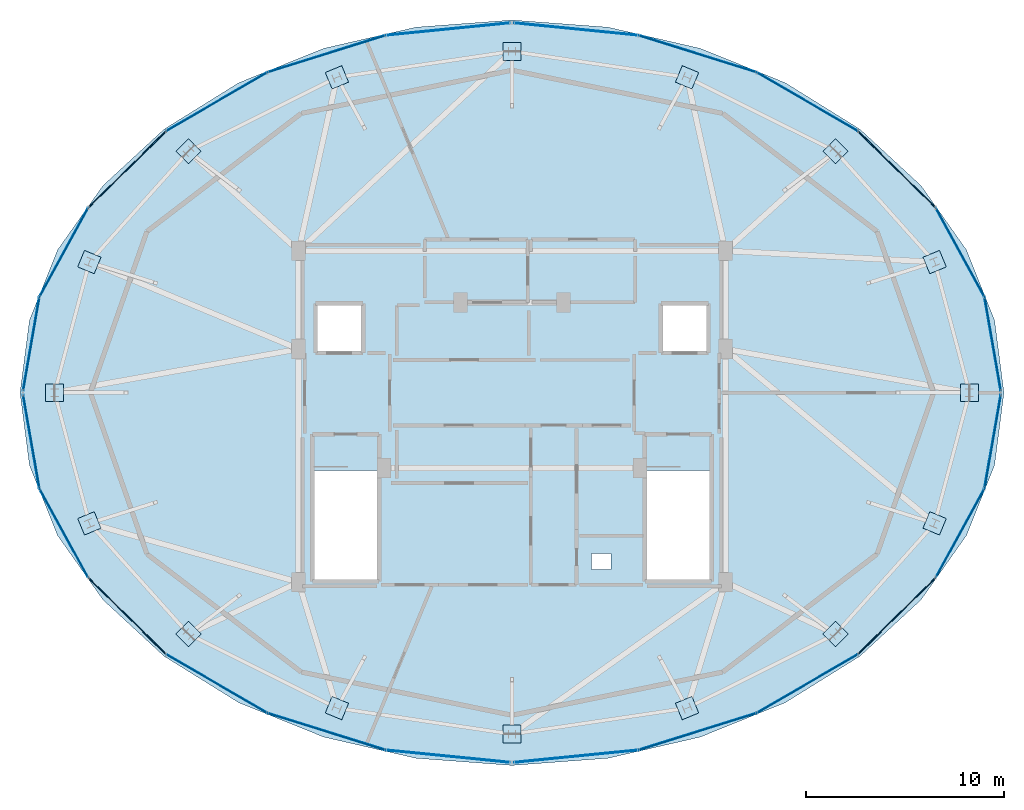
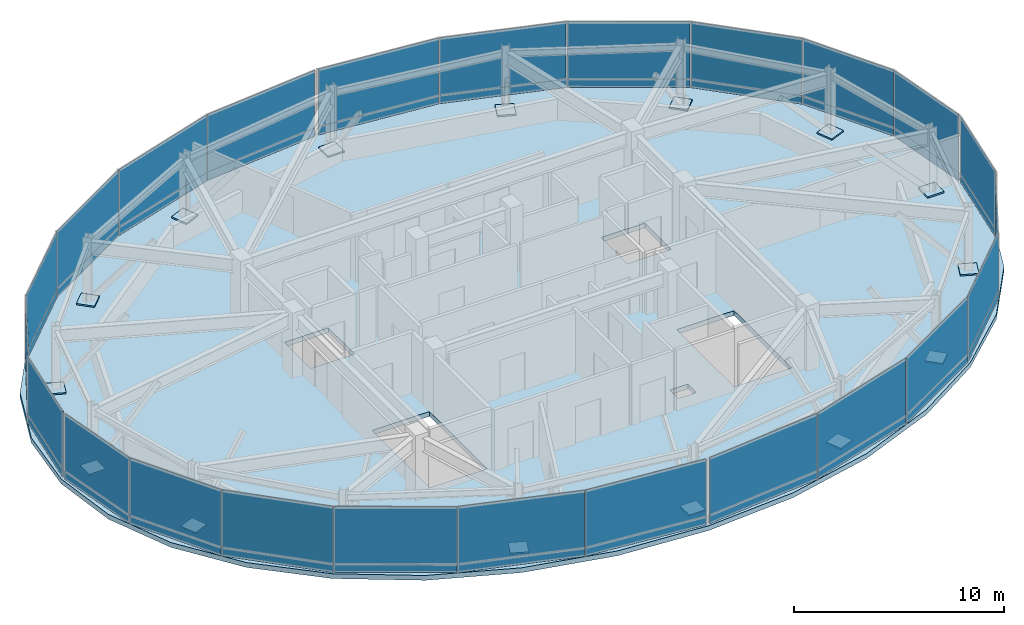
# One storey, part 22 of 28: 64 plates, 1 slab, 4 elements without a shape of their own.
"""IFC4 building model written with IfcOpenShell, lengths in metres."""

from ifc_helpers import new_model, si_unit, direction, frame, origin, origin_2d, place, context, subcontext, project, spatial, polyline, rectangle, outline, extrude, material, layer, layer_set, type_object, element, aggregate, save


model = new_model("IFC4")

# Units and contexts
model_context = context("Model", 3, precision=1e-05, world=origin(), true_north=direction((0.0, 1.0)))
body_context = subcontext(model_context, "Body", "Model", "MODEL_VIEW")
ifc_project = project(units=[si_unit("LENGTHUNIT", "METRE"), si_unit("AREAUNIT", "SQUARE_METRE"), si_unit("VOLUMEUNIT", "CUBIC_METRE"), si_unit("PLANEANGLEUNIT", "RADIAN"), si_unit("MASSUNIT", "GRAM", prefix="KILO")], contexts=[model_context])

# Site, building, storey
site_placement = place(None, origin())
site = spatial("IfcSite", under=ifc_project, at=site_placement, CompositionType="ELEMENT")
building_placement = place(site_placement, origin())
building = spatial("IfcBuilding", under=site, at=building_placement, Name="Vorneva Point Tower", CompositionType="ELEMENT")
storey_placement = place(building_placement, frame((0.0, 0.0, 295.39990234375)))
storey = spatial("IfcBuildingStorey", under=building, at=storey_placement, Name="C01", CompositionType="ELEMENT", Elevation=295.39990234375)

# Curtain wall, plates
ifc_material_1 = material(Name="Pale anodised aluminium", Category="aluminium")
curtain_wall_type = type_object("IfcCurtainWallType", Name="CW-CRN-SYS", PredefinedType="NOTDEFINED", material=ifc_material_1)
curtain_wall_1_placement = place(storey_placement, origin())
curtain_wall_1 = element("IfcCurtainWall", 1, at=curtain_wall_1_placement, inside=storey, type_object=curtain_wall_type, Name="C01 Unitised Curtain Wall CW-C01-Q1", PredefinedType="NOTDEFINED")
ifc_material_2 = material(Name="Triple-laminated clear crown glass", Category="glass")
ifc_layer_1 = layer(ifc_material_2, 0.0419921875)
ifc_layer_set_1 = layer_set([ifc_layer_1], Name="Triple-laminated clear crown glass")
plate_type_1 = type_object("IfcPlateType", Name="CW-PNL-CRN", PredefinedType="CURTAIN_PANEL", material=ifc_layer_set_1)
plate_1_placement = place(storey_placement, frame((62.22314453125, 28.45166015625, 0.47998046875), z_axis=(0.0, 0.0, 1.0), x_axis=(-0.171516443579, 0.985181257222, 0.0)))
plate_1 = element("IfcPlate", 2, at=plate_1_placement, type_object=plate_type_1, Name="CW-C01-Q1 Vision Panel 01", PredefinedType="CURTAIN_PANEL", context=body_context, shape_type="SweptSolid", body=[
    extrude(rectangle(XDim=4.76708984375, YDim=0.0419921875, at=origin_2d()), origin(), (0.0, 0.0, 1.0), 3.340087890625),
])
plate_2_placement = place(storey_placement, frame((60.578857421875, 33.072265625, 0.47998046875), z_axis=(0.0, 0.0, 1.0), x_axis=(-0.480422503232, 0.877037181873, 0.0)))
plate_2 = element("IfcPlate", 3, at=plate_2_placement, type_object=plate_type_1, Name="CW-C01-Q1 Vision Panel 02", PredefinedType="CURTAIN_PANEL", context=body_context, shape_type="SweptSolid", body=[
    extrude(rectangle(XDim=5.075927734375, YDim=0.0419921875, at=origin_2d()), origin(), (0.0, 0.0, 1.0), 3.340087890625),
])
plate_3_placement = place(storey_placement, frame((57.388916015625, 37.250244140625, 0.47998046875), z_axis=(0.0, 0.0, 1.0), x_axis=(-0.712246598738, 0.701929328769, 0.0)))
plate_3 = element("IfcPlate", 4, at=plate_3_placement, type_object=plate_type_1, Name="CW-C01-Q1 Vision Panel 03", PredefinedType="CURTAIN_PANEL", context=body_context, shape_type="SweptSolid", body=[
    extrude(rectangle(XDim=5.449951171875, YDim=0.0419921875, at=origin_2d()), origin(), (0.0, 0.0, 1.0), 3.340087890625),
])
plate_4_placement = place(storey_placement, frame((52.877685546875, 40.66162109375, 0.47998046875), z_axis=(0.0, 0.0, 1.0), x_axis=(-0.86494127235, 0.501873086931, 0.0)))
plate_4 = element("IfcPlate", 5, at=plate_4_placement, type_object=plate_type_1, Name="CW-C01-Q1 Vision Panel 04", PredefinedType="CURTAIN_PANEL", context=body_context, shape_type="SweptSolid", body=[
    extrude(rectangle(XDim=5.852294921875, YDim=0.0419921875, at=origin_2d()), origin(), (0.0, 0.0, 1.0), 3.340087890625),
])
plate_5_placement = place(storey_placement, frame((47.3525390625, 43.07373046875, 0.47998046875), z_axis=(0.0, 0.0, 1.0), x_axis=(-0.954282073186, 0.298907552257, 0.0)))
plate_5 = element("IfcPlate", 6, at=plate_5_placement, type_object=plate_type_1, Name="CW-C01-Q1 Vision Panel 05", PredefinedType="CURTAIN_PANEL", context=body_context, shape_type="SweptSolid", body=[
    extrude(rectangle(XDim=6.179931640625, YDim=0.0419921875, at=origin_2d()), origin(), (0.0, 0.0, 1.0), 3.340087890625),
])
plate_6_placement = place(storey_placement, frame((41.229736328125, 44.318603515625, 0.47998046875), z_axis=(0.0, 0.0, 1.0), x_axis=(-0.995081537711, 0.099059241404, 0.0)))
plate_6 = element("IfcPlate", 7, at=plate_6_placement, type_object=plate_type_1, Name="CW-C01-Q1 Vision Panel 06", PredefinedType="CURTAIN_PANEL", context=body_context, shape_type="SweptSolid", body=[
    extrude(rectangle(XDim=6.281494140625, YDim=0.0419921875, at=origin_2d()), origin(), (0.0, 0.0, 1.0), 3.340087890625),
])

curtain_wall_2_placement = place(storey_placement, origin())
curtain_wall_2 = element("IfcCurtainWall", 8, at=curtain_wall_2_placement, inside=storey, type_object=curtain_wall_type, Name="C01 Unitised Curtain Wall CW-C01-Q2", PredefinedType="NOTDEFINED")
plate_7_placement = place(storey_placement, frame((34.770263671875, 44.318603515625, 0.47998046875), z_axis=(0.0, 0.0, 1.0), x_axis=(-0.995081537711, -0.099059241404, 0.0)))
plate_7 = element("IfcPlate", 9, at=plate_7_placement, type_object=plate_type_1, Name="CW-C01-Q2 Vision Panel 01", PredefinedType="CURTAIN_PANEL", context=body_context, shape_type="SweptSolid", body=[
    extrude(rectangle(XDim=6.281494140625, YDim=0.0419921875, at=origin_2d()), origin(), (0.0, 0.0, 1.0), 3.340087890625),
])
plate_8_placement = place(storey_placement, frame((28.647705078125, 43.07373046875, 0.47998046875), z_axis=(0.0, 0.0, 1.0), x_axis=(-0.954282073186, -0.298907552257, 0.0)))
plate_8 = element("IfcPlate", 10, at=plate_8_placement, type_object=plate_type_1, Name="CW-C01-Q2 Vision Panel 02", PredefinedType="CURTAIN_PANEL", context=body_context, shape_type="SweptSolid", body=[
    extrude(rectangle(XDim=6.179931640625, YDim=0.0419921875, at=origin_2d()), origin(), (0.0, 0.0, 1.0), 3.340087890625),
])
plate_9_placement = place(storey_placement, frame((23.122314453125, 40.66162109375, 0.47998046875), z_axis=(0.0, 0.0, 1.0), x_axis=(-0.86494127235, -0.501873086931, 0.0)))
plate_9 = element("IfcPlate", 11, at=plate_9_placement, type_object=plate_type_1, Name="CW-C01-Q2 Vision Panel 03", PredefinedType="CURTAIN_PANEL", context=body_context, shape_type="SweptSolid", body=[
    extrude(rectangle(XDim=5.852294921875, YDim=0.0419921875, at=origin_2d()), origin(), (0.0, 0.0, 1.0), 3.340087890625),
])
plate_10_placement = place(storey_placement, frame((18.611083984375, 37.250244140625, 0.47998046875), z_axis=(0.0, 0.0, 1.0), x_axis=(-0.712246598738, -0.701929328769, 0.0)))
plate_10 = element("IfcPlate", 12, at=plate_10_placement, type_object=plate_type_1, Name="CW-C01-Q2 Vision Panel 04", PredefinedType="CURTAIN_PANEL", context=body_context, shape_type="SweptSolid", body=[
    extrude(rectangle(XDim=5.449951171875, YDim=0.0419921875, at=origin_2d()), origin(), (0.0, 0.0, 1.0), 3.340087890625),
])
plate_11_placement = place(storey_placement, frame((15.421142578125, 33.072265625, 0.47998046875), z_axis=(0.0, 0.0, 1.0), x_axis=(-0.480422503232, -0.877037181873, 0.0)))
plate_11 = element("IfcPlate", 13, at=plate_11_placement, type_object=plate_type_1, Name="CW-C01-Q2 Vision Panel 05", PredefinedType="CURTAIN_PANEL", context=body_context, shape_type="SweptSolid", body=[
    extrude(rectangle(XDim=5.075927734375, YDim=0.0419921875, at=origin_2d()), origin(), (0.0, 0.0, 1.0), 3.340087890625),
])
plate_12_placement = place(storey_placement, frame((13.77685546875, 28.45166015625, 0.47998046875), z_axis=(0.0, 0.0, 1.0), x_axis=(-0.171516443579, -0.985181257222, 0.0)))
plate_12 = element("IfcPlate", 14, at=plate_12_placement, type_object=plate_type_1, Name="CW-C01-Q2 Vision Panel 06", PredefinedType="CURTAIN_PANEL", context=body_context, shape_type="SweptSolid", body=[
    extrude(rectangle(XDim=4.76708984375, YDim=0.0419921875, at=origin_2d()), origin(), (0.0, 0.0, 1.0), 3.340087890625),
])

curtain_wall_3_placement = place(storey_placement, origin())
curtain_wall_3 = element("IfcCurtainWall", 15, at=curtain_wall_3_placement, inside=storey, type_object=curtain_wall_type, Name="C01 Unitised Curtain Wall CW-C01-Q3", PredefinedType="NOTDEFINED")
plate_13_placement = place(storey_placement, frame((13.77685546875, 23.54833984375, 0.47998046875), z_axis=(0.0, 0.0, 1.0), x_axis=(0.171516443579, -0.985181257222, 0.0)))
plate_13 = element("IfcPlate", 16, at=plate_13_placement, type_object=plate_type_1, Name="CW-C01-Q3 Vision Panel 01", PredefinedType="CURTAIN_PANEL", context=body_context, shape_type="SweptSolid", body=[
    extrude(rectangle(XDim=4.76708984375, YDim=0.0419921875, at=origin_2d()), origin(), (0.0, 0.0, 1.0), 3.340087890625),
])
plate_14_placement = place(storey_placement, frame((15.421142578125, 18.927734375, 0.47998046875), z_axis=(0.0, 0.0, 1.0), x_axis=(0.480422503232, -0.877037181873, 0.0)))
plate_14 = element("IfcPlate", 17, at=plate_14_placement, type_object=plate_type_1, Name="CW-C01-Q3 Vision Panel 02", PredefinedType="CURTAIN_PANEL", context=body_context, shape_type="SweptSolid", body=[
    extrude(rectangle(XDim=5.075927734375, YDim=0.0419921875, at=origin_2d()), origin(), (0.0, 0.0, 1.0), 3.340087890625),
])
plate_15_placement = place(storey_placement, frame((18.611083984375, 14.749755859375, 0.47998046875), z_axis=(0.0, 0.0, 1.0), x_axis=(0.712246598738, -0.701929328769, 0.0)))
plate_15 = element("IfcPlate", 18, at=plate_15_placement, type_object=plate_type_1, Name="CW-C01-Q3 Vision Panel 03", PredefinedType="CURTAIN_PANEL", context=body_context, shape_type="SweptSolid", body=[
    extrude(rectangle(XDim=5.449951171875, YDim=0.0419921875, at=origin_2d()), origin(), (0.0, 0.0, 1.0), 3.340087890625),
])
plate_16_placement = place(storey_placement, frame((23.122314453125, 11.33837890625, 0.47998046875), z_axis=(0.0, 0.0, 1.0), x_axis=(0.86494127235, -0.501873086931, 0.0)))
plate_16 = element("IfcPlate", 19, at=plate_16_placement, type_object=plate_type_1, Name="CW-C01-Q3 Vision Panel 04", PredefinedType="CURTAIN_PANEL", context=body_context, shape_type="SweptSolid", body=[
    extrude(rectangle(XDim=5.852294921875, YDim=0.0419921875, at=origin_2d()), origin(), (0.0, 0.0, 1.0), 3.340087890625),
])
plate_17_placement = place(storey_placement, frame((28.647705078125, 8.92626953125, 0.47998046875), z_axis=(0.0, 0.0, 1.0), x_axis=(0.954282073186, -0.298907552257, 0.0)))
plate_17 = element("IfcPlate", 20, at=plate_17_placement, type_object=plate_type_1, Name="CW-C01-Q3 Vision Panel 05", PredefinedType="CURTAIN_PANEL", context=body_context, shape_type="SweptSolid", body=[
    extrude(rectangle(XDim=6.179931640625, YDim=0.0419921875, at=origin_2d()), origin(), (0.0, 0.0, 1.0), 3.340087890625),
])
plate_18_placement = place(storey_placement, frame((34.770263671875, 7.681396484375, 0.47998046875), z_axis=(0.0, 0.0, 1.0), x_axis=(0.995081537711, -0.099059241404, 0.0)))
plate_18 = element("IfcPlate", 21, at=plate_18_placement, type_object=plate_type_1, Name="CW-C01-Q3 Vision Panel 06", PredefinedType="CURTAIN_PANEL", context=body_context, shape_type="SweptSolid", body=[
    extrude(rectangle(XDim=6.281494140625, YDim=0.0419921875, at=origin_2d()), origin(), (0.0, 0.0, 1.0), 3.340087890625),
])

curtain_wall_4_placement = place(storey_placement, origin())
curtain_wall_4 = element("IfcCurtainWall", 22, at=curtain_wall_4_placement, inside=storey, type_object=curtain_wall_type, Name="C01 Unitised Curtain Wall CW-C01-Q4", PredefinedType="NOTDEFINED")
plate_19_placement = place(storey_placement, frame((41.229736328125, 7.681396484375, 0.47998046875), z_axis=(0.0, 0.0, 1.0), x_axis=(0.995081537711, 0.099059241404, 0.0)))
plate_19 = element("IfcPlate", 23, at=plate_19_placement, type_object=plate_type_1, Name="CW-C01-Q4 Vision Panel 01", PredefinedType="CURTAIN_PANEL", context=body_context, shape_type="SweptSolid", body=[
    extrude(rectangle(XDim=6.281494140625, YDim=0.0419921875, at=origin_2d()), origin(), (0.0, 0.0, 1.0), 3.340087890625),
])
plate_20_placement = place(storey_placement, frame((47.3525390625, 8.92626953125, 0.47998046875), z_axis=(0.0, 0.0, 1.0), x_axis=(0.954282073186, 0.298907552257, 0.0)))
plate_20 = element("IfcPlate", 24, at=plate_20_placement, type_object=plate_type_1, Name="CW-C01-Q4 Vision Panel 02", PredefinedType="CURTAIN_PANEL", context=body_context, shape_type="SweptSolid", body=[
    extrude(rectangle(XDim=6.179931640625, YDim=0.0419921875, at=origin_2d()), origin(), (0.0, 0.0, 1.0), 3.340087890625),
])
plate_21_placement = place(storey_placement, frame((52.877685546875, 11.33837890625, 0.47998046875), z_axis=(0.0, 0.0, 1.0), x_axis=(0.86494127235, 0.501873086931, 0.0)))
plate_21 = element("IfcPlate", 25, at=plate_21_placement, type_object=plate_type_1, Name="CW-C01-Q4 Vision Panel 03", PredefinedType="CURTAIN_PANEL", context=body_context, shape_type="SweptSolid", body=[
    extrude(rectangle(XDim=5.852294921875, YDim=0.0419921875, at=origin_2d()), origin(), (0.0, 0.0, 1.0), 3.340087890625),
])
plate_22_placement = place(storey_placement, frame((57.388916015625, 14.749755859375, 0.47998046875), z_axis=(0.0, 0.0, 1.0), x_axis=(0.712246598738, 0.701929328769, 0.0)))
plate_22 = element("IfcPlate", 26, at=plate_22_placement, type_object=plate_type_1, Name="CW-C01-Q4 Vision Panel 04", PredefinedType="CURTAIN_PANEL", context=body_context, shape_type="SweptSolid", body=[
    extrude(rectangle(XDim=5.449951171875, YDim=0.0419921875, at=origin_2d()), origin(), (0.0, 0.0, 1.0), 3.340087890625),
])
plate_23_placement = place(storey_placement, frame((60.578857421875, 18.927734375, 0.47998046875), z_axis=(0.0, 0.0, 1.0), x_axis=(0.480422503232, 0.877037181873, 0.0)))
plate_23 = element("IfcPlate", 27, at=plate_23_placement, type_object=plate_type_1, Name="CW-C01-Q4 Vision Panel 05", PredefinedType="CURTAIN_PANEL", context=body_context, shape_type="SweptSolid", body=[
    extrude(rectangle(XDim=5.075927734375, YDim=0.0419921875, at=origin_2d()), origin(), (0.0, 0.0, 1.0), 3.340087890625),
])
plate_24_placement = place(storey_placement, frame((62.22314453125, 23.54833984375, 0.47998046875), z_axis=(0.0, 0.0, 1.0), x_axis=(0.171516443579, 0.985181257222, 0.0)))
plate_24 = element("IfcPlate", 28, at=plate_24_placement, type_object=plate_type_1, Name="CW-C01-Q4 Vision Panel 06", PredefinedType="CURTAIN_PANEL", context=body_context, shape_type="SweptSolid", body=[
    extrude(rectangle(XDim=4.76708984375, YDim=0.0419921875, at=origin_2d()), origin(), (0.0, 0.0, 1.0), 3.340087890625),
])

# Plate
ifc_layer_2 = layer(ifc_material_1, 0.050048828125)
ifc_layer_set_2 = layer_set([ifc_layer_2], Name="Pale anodised aluminium")
plate_type_2 = type_object("IfcPlateType", Name="CW-PNL-SPN", PredefinedType="CURTAIN_PANEL", material=ifc_layer_set_2)
plate_25_placement = place(storey_placement, frame((62.22314453125, 28.45166015625, -0.02001953125), z_axis=(0.0, 0.0, 1.0), x_axis=(-0.171516443579, 0.985181257222, 0.0)))
plate_25 = element("IfcPlate", 29, at=plate_25_placement, type_object=plate_type_2, Name="CW-C01-Q1 Spandrel Panel 01", PredefinedType="CURTAIN_PANEL", context=body_context, shape_type="SweptSolid", body=[
    extrude(rectangle(XDim=4.76708984375, YDim=0.050048828125, at=origin_2d()), origin(), (0.0, 0.0, 1.0), 0.5),
])

plate_26_placement = place(storey_placement, frame((60.578857421875, 33.072265625, -0.02001953125), z_axis=(0.0, 0.0, 1.0), x_axis=(-0.480422503232, 0.877037181873, 0.0)))
plate_26 = element("IfcPlate", 30, at=plate_26_placement, type_object=plate_type_2, Name="CW-C01-Q1 Spandrel Panel 02", PredefinedType="CURTAIN_PANEL", context=body_context, shape_type="SweptSolid", body=[
    extrude(rectangle(XDim=5.075927734375, YDim=0.050048828125, at=origin_2d()), origin(), (0.0, 0.0, 1.0), 0.5),
])

plate_27_placement = place(storey_placement, frame((57.388916015625, 37.250244140625, -0.02001953125), z_axis=(0.0, 0.0, 1.0), x_axis=(-0.712246598738, 0.701929328769, 0.0)))
plate_27 = element("IfcPlate", 31, at=plate_27_placement, type_object=plate_type_2, Name="CW-C01-Q1 Spandrel Panel 03", PredefinedType="CURTAIN_PANEL", context=body_context, shape_type="SweptSolid", body=[
    extrude(rectangle(XDim=5.449951171875, YDim=0.050048828125, at=origin_2d()), origin(), (0.0, 0.0, 1.0), 0.5),
])

plate_28_placement = place(storey_placement, frame((52.877685546875, 40.66162109375, -0.02001953125), z_axis=(0.0, 0.0, 1.0), x_axis=(-0.86494127235, 0.501873086931, 0.0)))
plate_28 = element("IfcPlate", 32, at=plate_28_placement, type_object=plate_type_2, Name="CW-C01-Q1 Spandrel Panel 04", PredefinedType="CURTAIN_PANEL", context=body_context, shape_type="SweptSolid", body=[
    extrude(rectangle(XDim=5.852294921875, YDim=0.050048828125, at=origin_2d()), origin(), (0.0, 0.0, 1.0), 0.5),
])

plate_29_placement = place(storey_placement, frame((47.3525390625, 43.07373046875, -0.02001953125), z_axis=(0.0, 0.0, 1.0), x_axis=(-0.954282073186, 0.298907552257, 0.0)))
plate_29 = element("IfcPlate", 33, at=plate_29_placement, type_object=plate_type_2, Name="CW-C01-Q1 Spandrel Panel 05", PredefinedType="CURTAIN_PANEL", context=body_context, shape_type="SweptSolid", body=[
    extrude(rectangle(XDim=6.179931640625, YDim=0.050048828125, at=origin_2d()), origin(), (0.0, 0.0, 1.0), 0.5),
])

plate_30_placement = place(storey_placement, frame((41.229736328125, 44.318603515625, -0.02001953125), z_axis=(0.0, 0.0, 1.0), x_axis=(-0.995081537711, 0.099059241404, 0.0)))
plate_30 = element("IfcPlate", 34, at=plate_30_placement, type_object=plate_type_2, Name="CW-C01-Q1 Spandrel Panel 06", PredefinedType="CURTAIN_PANEL", context=body_context, shape_type="SweptSolid", body=[
    extrude(rectangle(XDim=6.281494140625, YDim=0.050048828125, at=origin_2d()), origin(), (0.0, 0.0, 1.0), 0.5),
])

aggregate(curtain_wall_1, [plate_25, plate_1, plate_26, plate_2, plate_27, plate_3, plate_28, plate_4, plate_29, plate_5, plate_30, plate_6])

plate_31_placement = place(storey_placement, frame((34.770263671875, 44.318603515625, -0.02001953125), z_axis=(0.0, 0.0, 1.0), x_axis=(-0.995081537711, -0.099059241404, 0.0)))
plate_31 = element("IfcPlate", 35, at=plate_31_placement, type_object=plate_type_2, Name="CW-C01-Q2 Spandrel Panel 01", PredefinedType="CURTAIN_PANEL", context=body_context, shape_type="SweptSolid", body=[
    extrude(rectangle(XDim=6.281494140625, YDim=0.050048828125, at=origin_2d()), origin(), (0.0, 0.0, 1.0), 0.5),
])

plate_32_placement = place(storey_placement, frame((28.647705078125, 43.07373046875, -0.02001953125), z_axis=(0.0, 0.0, 1.0), x_axis=(-0.954282073186, -0.298907552257, 0.0)))
plate_32 = element("IfcPlate", 36, at=plate_32_placement, type_object=plate_type_2, Name="CW-C01-Q2 Spandrel Panel 02", PredefinedType="CURTAIN_PANEL", context=body_context, shape_type="SweptSolid", body=[
    extrude(rectangle(XDim=6.179931640625, YDim=0.050048828125, at=origin_2d()), origin(), (0.0, 0.0, 1.0), 0.5),
])

plate_33_placement = place(storey_placement, frame((23.122314453125, 40.66162109375, -0.02001953125), z_axis=(0.0, 0.0, 1.0), x_axis=(-0.86494127235, -0.501873086931, 0.0)))
plate_33 = element("IfcPlate", 37, at=plate_33_placement, type_object=plate_type_2, Name="CW-C01-Q2 Spandrel Panel 03", PredefinedType="CURTAIN_PANEL", context=body_context, shape_type="SweptSolid", body=[
    extrude(rectangle(XDim=5.852294921875, YDim=0.050048828125, at=origin_2d()), origin(), (0.0, 0.0, 1.0), 0.5),
])

plate_34_placement = place(storey_placement, frame((18.611083984375, 37.250244140625, -0.02001953125), z_axis=(0.0, 0.0, 1.0), x_axis=(-0.712246598738, -0.701929328769, 0.0)))
plate_34 = element("IfcPlate", 38, at=plate_34_placement, type_object=plate_type_2, Name="CW-C01-Q2 Spandrel Panel 04", PredefinedType="CURTAIN_PANEL", context=body_context, shape_type="SweptSolid", body=[
    extrude(rectangle(XDim=5.449951171875, YDim=0.050048828125, at=origin_2d()), origin(), (0.0, 0.0, 1.0), 0.5),
])

plate_35_placement = place(storey_placement, frame((15.421142578125, 33.072265625, -0.02001953125), z_axis=(0.0, 0.0, 1.0), x_axis=(-0.480422503232, -0.877037181873, 0.0)))
plate_35 = element("IfcPlate", 39, at=plate_35_placement, type_object=plate_type_2, Name="CW-C01-Q2 Spandrel Panel 05", PredefinedType="CURTAIN_PANEL", context=body_context, shape_type="SweptSolid", body=[
    extrude(rectangle(XDim=5.075927734375, YDim=0.050048828125, at=origin_2d()), origin(), (0.0, 0.0, 1.0), 0.5),
])

plate_36_placement = place(storey_placement, frame((13.77685546875, 28.45166015625, -0.02001953125), z_axis=(0.0, 0.0, 1.0), x_axis=(-0.171516443579, -0.985181257222, 0.0)))
plate_36 = element("IfcPlate", 40, at=plate_36_placement, type_object=plate_type_2, Name="CW-C01-Q2 Spandrel Panel 06", PredefinedType="CURTAIN_PANEL", context=body_context, shape_type="SweptSolid", body=[
    extrude(rectangle(XDim=4.76708984375, YDim=0.050048828125, at=origin_2d()), origin(), (0.0, 0.0, 1.0), 0.5),
])

aggregate(curtain_wall_2, [plate_31, plate_7, plate_32, plate_8, plate_33, plate_9, plate_34, plate_10, plate_35, plate_11, plate_36, plate_12])

plate_37_placement = place(storey_placement, frame((13.77685546875, 23.54833984375, -0.02001953125), z_axis=(0.0, 0.0, 1.0), x_axis=(0.171516443579, -0.985181257222, 0.0)))
plate_37 = element("IfcPlate", 41, at=plate_37_placement, type_object=plate_type_2, Name="CW-C01-Q3 Spandrel Panel 01", PredefinedType="CURTAIN_PANEL", context=body_context, shape_type="SweptSolid", body=[
    extrude(rectangle(XDim=4.76708984375, YDim=0.050048828125, at=origin_2d()), origin(), (0.0, 0.0, 1.0), 0.5),
])

plate_38_placement = place(storey_placement, frame((15.421142578125, 18.927734375, -0.02001953125), z_axis=(0.0, 0.0, 1.0), x_axis=(0.480422503232, -0.877037181873, 0.0)))
plate_38 = element("IfcPlate", 42, at=plate_38_placement, type_object=plate_type_2, Name="CW-C01-Q3 Spandrel Panel 02", PredefinedType="CURTAIN_PANEL", context=body_context, shape_type="SweptSolid", body=[
    extrude(rectangle(XDim=5.075927734375, YDim=0.050048828125, at=origin_2d()), origin(), (0.0, 0.0, 1.0), 0.5),
])

plate_39_placement = place(storey_placement, frame((18.611083984375, 14.749755859375, -0.02001953125), z_axis=(0.0, 0.0, 1.0), x_axis=(0.712246598738, -0.701929328769, 0.0)))
plate_39 = element("IfcPlate", 43, at=plate_39_placement, type_object=plate_type_2, Name="CW-C01-Q3 Spandrel Panel 03", PredefinedType="CURTAIN_PANEL", context=body_context, shape_type="SweptSolid", body=[
    extrude(rectangle(XDim=5.449951171875, YDim=0.050048828125, at=origin_2d()), origin(), (0.0, 0.0, 1.0), 0.5),
])

plate_40_placement = place(storey_placement, frame((23.122314453125, 11.33837890625, -0.02001953125), z_axis=(0.0, 0.0, 1.0), x_axis=(0.86494127235, -0.501873086931, 0.0)))
plate_40 = element("IfcPlate", 44, at=plate_40_placement, type_object=plate_type_2, Name="CW-C01-Q3 Spandrel Panel 04", PredefinedType="CURTAIN_PANEL", context=body_context, shape_type="SweptSolid", body=[
    extrude(rectangle(XDim=5.852294921875, YDim=0.050048828125, at=origin_2d()), origin(), (0.0, 0.0, 1.0), 0.5),
])

plate_41_placement = place(storey_placement, frame((28.647705078125, 8.92626953125, -0.02001953125), z_axis=(0.0, 0.0, 1.0), x_axis=(0.954282073186, -0.298907552257, 0.0)))
plate_41 = element("IfcPlate", 45, at=plate_41_placement, type_object=plate_type_2, Name="CW-C01-Q3 Spandrel Panel 05", PredefinedType="CURTAIN_PANEL", context=body_context, shape_type="SweptSolid", body=[
    extrude(rectangle(XDim=6.179931640625, YDim=0.050048828125, at=origin_2d()), origin(), (0.0, 0.0, 1.0), 0.5),
])

plate_42_placement = place(storey_placement, frame((34.770263671875, 7.681396484375, -0.02001953125), z_axis=(0.0, 0.0, 1.0), x_axis=(0.995081537711, -0.099059241404, 0.0)))
plate_42 = element("IfcPlate", 46, at=plate_42_placement, type_object=plate_type_2, Name="CW-C01-Q3 Spandrel Panel 06", PredefinedType="CURTAIN_PANEL", context=body_context, shape_type="SweptSolid", body=[
    extrude(rectangle(XDim=6.281494140625, YDim=0.050048828125, at=origin_2d()), origin(), (0.0, 0.0, 1.0), 0.5),
])

aggregate(curtain_wall_3, [plate_37, plate_13, plate_38, plate_14, plate_39, plate_15, plate_40, plate_16, plate_41, plate_17, plate_42, plate_18])

plate_43_placement = place(storey_placement, frame((41.229736328125, 7.681396484375, -0.02001953125), z_axis=(0.0, 0.0, 1.0), x_axis=(0.995081537711, 0.099059241404, 0.0)))
plate_43 = element("IfcPlate", 47, at=plate_43_placement, type_object=plate_type_2, Name="CW-C01-Q4 Spandrel Panel 01", PredefinedType="CURTAIN_PANEL", context=body_context, shape_type="SweptSolid", body=[
    extrude(rectangle(XDim=6.281494140625, YDim=0.050048828125, at=origin_2d()), origin(), (0.0, 0.0, 1.0), 0.5),
])

plate_44_placement = place(storey_placement, frame((47.3525390625, 8.92626953125, -0.02001953125), z_axis=(0.0, 0.0, 1.0), x_axis=(0.954282073186, 0.298907552257, 0.0)))
plate_44 = element("IfcPlate", 48, at=plate_44_placement, type_object=plate_type_2, Name="CW-C01-Q4 Spandrel Panel 02", PredefinedType="CURTAIN_PANEL", context=body_context, shape_type="SweptSolid", body=[
    extrude(rectangle(XDim=6.179931640625, YDim=0.050048828125, at=origin_2d()), origin(), (0.0, 0.0, 1.0), 0.5),
])

plate_45_placement = place(storey_placement, frame((52.877685546875, 11.33837890625, -0.02001953125), z_axis=(0.0, 0.0, 1.0), x_axis=(0.86494127235, 0.501873086931, 0.0)))
plate_45 = element("IfcPlate", 49, at=plate_45_placement, type_object=plate_type_2, Name="CW-C01-Q4 Spandrel Panel 03", PredefinedType="CURTAIN_PANEL", context=body_context, shape_type="SweptSolid", body=[
    extrude(rectangle(XDim=5.852294921875, YDim=0.050048828125, at=origin_2d()), origin(), (0.0, 0.0, 1.0), 0.5),
])

plate_46_placement = place(storey_placement, frame((57.388916015625, 14.749755859375, -0.02001953125), z_axis=(0.0, 0.0, 1.0), x_axis=(0.712246598738, 0.701929328769, 0.0)))
plate_46 = element("IfcPlate", 50, at=plate_46_placement, type_object=plate_type_2, Name="CW-C01-Q4 Spandrel Panel 04", PredefinedType="CURTAIN_PANEL", context=body_context, shape_type="SweptSolid", body=[
    extrude(rectangle(XDim=5.449951171875, YDim=0.050048828125, at=origin_2d()), origin(), (0.0, 0.0, 1.0), 0.5),
])

plate_47_placement = place(storey_placement, frame((60.578857421875, 18.927734375, -0.02001953125), z_axis=(0.0, 0.0, 1.0), x_axis=(0.480422503232, 0.877037181873, 0.0)))
plate_47 = element("IfcPlate", 51, at=plate_47_placement, type_object=plate_type_2, Name="CW-C01-Q4 Spandrel Panel 05", PredefinedType="CURTAIN_PANEL", context=body_context, shape_type="SweptSolid", body=[
    extrude(rectangle(XDim=5.075927734375, YDim=0.050048828125, at=origin_2d()), origin(), (0.0, 0.0, 1.0), 0.5),
])

plate_48_placement = place(storey_placement, frame((62.22314453125, 23.54833984375, -0.02001953125), z_axis=(0.0, 0.0, 1.0), x_axis=(0.171516443579, 0.985181257222, 0.0)))
plate_48 = element("IfcPlate", 52, at=plate_48_placement, type_object=plate_type_2, Name="CW-C01-Q4 Spandrel Panel 06", PredefinedType="CURTAIN_PANEL", context=body_context, shape_type="SweptSolid", body=[
    extrude(rectangle(XDim=4.76708984375, YDim=0.050048828125, at=origin_2d()), origin(), (0.0, 0.0, 1.0), 0.5),
])

aggregate(curtain_wall_4, [plate_43, plate_19, plate_44, plate_20, plate_45, plate_21, plate_46, plate_22, plate_47, plate_23, plate_48, plate_24])

# Plates
ifc_material_3 = material(Name="Steel S355", Category="steel")
ifc_layer_3 = layer(ifc_material_3, 0.031982421875)
ifc_layer_set_3 = layer_set([ifc_layer_3], Name="Steel S355")
plate_type_3 = type_object("IfcPlateType", Name="PLT-BASE-INT", PredefinedType="USERDEFINED", material=ifc_layer_set_3)
for number, where, z_axis, x_axis, name in (
    (53, (61.050048828125, 26.0, 0.0), (0.0, 0.0, 1.0), (1.0, 0.0, 0.0), "Crown Steel Column Base Plate P01"),
    (54, (59.29541015625, 32.582275390625, 0.0), (0.0, 0.0, 1.0), (0.923879532511, 0.382683432365, 0.0), "Crown Steel Column Base Plate P02"),
    (55, (54.298828125, 38.162109375, 0.0), (0.0, 0.0, 1.0), (0.707106781187, 0.707106781187, 0.0), "Crown Steel Column Base Plate P03"),
    (56, (46.82080078125, 41.890625, 0.0), (0.0, 0.0, 1.0), (0.382683432365, 0.923879532511, 0.0), "Crown Steel Column Base Plate P04"),
    (57, (38.0, 43.199951171875, 0.0), (0.0, 0.0, 1.0), (0.0, 1.0, 0.0), "Crown Steel Column Base Plate P05"),
    (58, (29.17919921875, 41.890625, 0.0), (0.0, 0.0, 1.0), (-0.382683432365, 0.923879532511, 0.0), "Crown Steel Column Base Plate P06"),
    (59, (21.701171875, 38.162109375, 0.0), (0.0, 0.0, 1.0), (-0.707106781187, 0.707106781187, 0.0), "Crown Steel Column Base Plate P07"),
    (60, (16.70458984375, 32.582275390625, 0.0), (0.0, 0.0, 1.0), (-0.923879532511, 0.382683432365, 0.0), "Crown Steel Column Base Plate P08"),
    (61, (14.949951171875, 26.0, 0.0), (0.0, 0.0, 1.0), (-1.0, 0.0, 0.0), "Crown Steel Column Base Plate P09"),
    (62, (16.70458984375, 19.417724609375, 0.0), (0.0, 0.0, 1.0), (-0.923879532511, -0.382683432365, 0.0), "Crown Steel Column Base Plate P10"),
    (63, (21.701171875, 13.837890625, 0.0), (0.0, 0.0, 1.0), (-0.707106781187, -0.707106781187, 0.0), "Crown Steel Column Base Plate P11"),
    (64, (29.17919921875, 10.109375, 0.0), (0.0, 0.0, 1.0), (-0.382683432365, -0.923879532511, 0.0), "Crown Steel Column Base Plate P12"),
    (65, (38.0, 8.800048828125, 0.0), (0.0, 0.0, 1.0), (0.0, -1.0, 0.0), "Crown Steel Column Base Plate P13"),
    (66, (46.82080078125, 10.109375, 0.0), (0.0, 0.0, 1.0), (0.382683432365, -0.923879532511, 0.0), "Crown Steel Column Base Plate P14"),
    (67, (54.298828125, 13.837890625, 0.0), (0.0, 0.0, 1.0), (0.707106781187, -0.707106781187, 0.0), "Crown Steel Column Base Plate P15"),
    (68, (59.29541015625, 19.417724609375, 0.0), (0.0, 0.0, 1.0), (0.923879532511, -0.382683432365, 0.0), "Crown Steel Column Base Plate P16"),
):
    element("IfcPlate", number, at=place(storey_placement, frame(where, z_axis=z_axis, x_axis=x_axis)), inside=storey, type_object=plate_type_3, Name=name, ObjectType="BASE PLATE", PredefinedType="USERDEFINED", context=body_context, shape_type="SweptSolid", body=[
        extrude(rectangle(XDim=0.89990234375, YDim=0.89990234375, at=origin_2d()), origin(), (0.0, 0.0, 1.0), 0.080078125),
    ])

# Slab
ifc_material_4 = material(Name="Concrete B50 (C40/50)", Category="concrete")
ifc_layer_4 = layer(ifc_material_4, 0.280029296875)
ifc_layer_set_4 = layer_set([ifc_layer_4], Name="Concrete B50 (C40/50)")
slab_type = type_object("IfcSlabType", Name="SLB-CRN-280", PredefinedType="FLOOR", material=ifc_layer_set_4)
slab_placement = place(storey_placement, frame((0.0, 0.0, -0.27978515625)))
element("IfcSlab", 69, at=slab_placement, inside=storey, type_object=slab_type, Name="C01 Structural Floor Plate", PredefinedType="FLOOR", context=body_context, shape_type="SweptSolid", body=[
    extrude(outline(polyline([(62.7900390625, 26.0), (62.313720703125, 29.663818359375), (60.903076171875, 33.186767578125), (58.612060546875, 36.43359375), (55.529296875, 39.279541015625), (51.772705078125, 41.614990234375), (47.48681640625, 43.3505859375), (42.836181640625, 44.419189453125), (38.0, 44.780029296875), (33.163818359375, 44.419189453125), (28.51318359375, 43.3505859375), (24.227294921875, 41.614990234375), (20.470703125, 39.279541015625), (17.387939453125, 36.43359375), (15.096923828125, 33.186767578125), (13.686279296875, 29.663818359375), (13.2099609375, 26.0), (13.686279296875, 22.336181640625), (15.096923828125, 18.813232421875), (17.387939453125, 15.56640625), (20.470703125, 12.720458984375), (24.227294921875, 10.385009765625), (28.51318359375, 8.6494140625), (33.163818359375, 7.580810546875), (38.0, 7.219970703125), (42.836181640625, 7.580810546875), (47.48681640625, 8.6494140625), (51.772705078125, 10.385009765625), (55.529296875, 12.720458984375), (58.612060546875, 15.56640625), (60.903076171875, 18.813232421875), (62.313720703125, 22.336181640625), (62.7900390625, 26.0)]), holes=[polyline([(28.10009765625, 28.0), (30.5, 28.0), (30.5, 30.5), (28.10009765625, 30.5), (28.10009765625, 28.0)]), polyline([(45.5, 28.0), (47.89990234375, 28.0), (47.89990234375, 30.5), (45.5, 30.5), (45.5, 28.0)]), polyline([(28.050048828125, 16.60009765625), (31.199951171875, 16.60009765625), (31.199951171875, 22.080078125), (28.050048828125, 22.080078125), (28.050048828125, 16.60009765625)]), polyline([(44.800048828125, 16.60009765625), (47.949951171875, 16.60009765625), (47.949951171875, 22.080078125), (44.800048828125, 22.080078125), (44.800048828125, 16.60009765625)]), polyline([(42.0, 17.10009765625), (43.0, 17.10009765625), (43.0, 17.89990234375), (42.0, 17.89990234375), (42.0, 17.10009765625)])]), origin(), (0.0, 0.0, 1.0), 0.27978515625),
])

save(model, "model.ifc")
